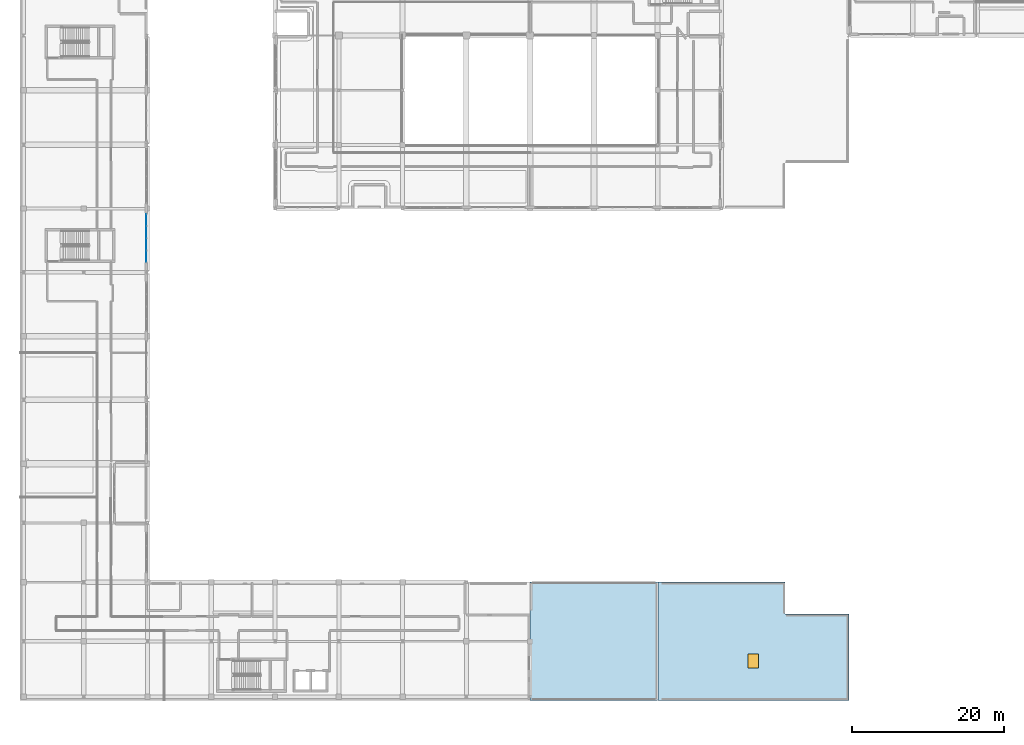
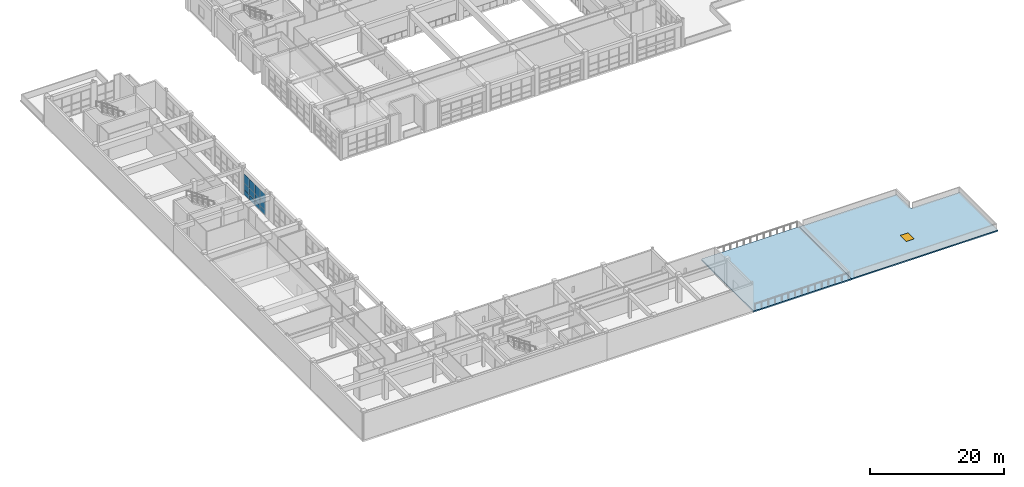
# One storey, part 50 of 78: 12 plates, 2 slabs, 1 window, 1 opening, 1 element without a shape of its own.
"""IFC4 building model written with IfcOpenShell, lengths in metres."""

from ifc_helpers import new_model, si_unit, direction, frame, origin, origin_2d, place, context, subcontext, project, spatial, polyline, rectangle, outline, extrude, material, layer, layer_set, type_object, element, fill, aggregate, save


model = new_model("IFC4")

# Units and contexts
model_context = context("Model", 3, precision=1e-05, world=origin(), true_north=direction((0.0, 1.0)))
body_context = subcontext(model_context, "Body", "Model", "MODEL_VIEW")
ifc_project = project(units=[si_unit("LENGTHUNIT", "METRE"), si_unit("AREAUNIT", "SQUARE_METRE"), si_unit("VOLUMEUNIT", "CUBIC_METRE"), si_unit("PLANEANGLEUNIT", "RADIAN"), si_unit("MASSUNIT", "GRAM", prefix="KILO")], contexts=[model_context])

# Site, building, storey
site_placement = place(None, origin())
site = spatial("IfcSite", under=ifc_project, at=site_placement, CompositionType="ELEMENT")
building_placement = place(site_placement, origin())
building = spatial("IfcBuilding", under=site, at=building_placement, Name="Quendrovan Civic Courthouse", CompositionType="ELEMENT")
storey_placement = place(building_placement, frame((0.0, 0.0, 10.199951171875)))
storey = spatial("IfcBuildingStorey", under=building, at=storey_placement, Name="L03", CompositionType="ELEMENT", Elevation=10.199951171875)

# Curtain wall, plates
ifc_material_1 = material(Name="Bronze anodised aluminium and low-E glass", Category="aluminium")
ifc_layer_1 = layer(ifc_material_1, 0.179931640625, Name="Bronze anodised aluminium and low-E glass")
ifc_layer_set_1 = layer_set([ifc_layer_1], Name="Bronze anodised aluminium and low-E glass")
curtain_wall_type = type_object("IfcCurtainWallType", Name="CW-U64x39", PredefinedType="USERDEFINED", material=ifc_layer_set_1)
curtain_wall_placement = place(storey_placement, origin())
curtain_wall = element("IfcCurtainWall", 1, at=curtain_wall_placement, inside=storey, type_object=curtain_wall_type, Name="L03 Unitised Hurricane Curtain Wall CW-122", ObjectType="UNITISED CURTAIN WALL", PredefinedType="USERDEFINED")
ifc_material_2 = material(Name="Laminated hurricane-impact low-E glass", Category="glass")
ifc_layer_2 = layer(ifc_material_2, 0.035888671875, Name="Laminated hurricane-impact low-E glass")
ifc_layer_set_2 = layer_set([ifc_layer_2], Name="Laminated hurricane-impact low-E glass")
plate_type = type_object("IfcPlateType", Name="CW-PNL-3", PredefinedType="CURTAIN_PANEL", material=ifc_layer_set_2)
plate_1_placement = place(storey_placement, frame((16.635009765625, 63.282470703125, 0.06982421875), z_axis=(0.0, 0.0, 1.0), x_axis=(0.0, -1.0, 0.0)))
plate_1 = element("IfcPlate", 2, at=plate_1_placement, type_object=plate_type, Name="CW-122 panel 1.1", PredefinedType="CURTAIN_PANEL", context=body_context, shape_type="SweptSolid", body=[
    extrude(rectangle(XDim=1.4951171875, YDim=0.035888671875, at=origin_2d()), origin(), (0.0, 0.0, 1.0), 0.844970703125),
])
plate_2_placement = place(storey_placement, frame((16.635009765625, 63.282470703125, 0.985107421875), z_axis=(0.0, 0.0, 1.0), x_axis=(0.0, -1.0, 0.0)))
plate_2 = element("IfcPlate", 3, at=plate_2_placement, type_object=plate_type, Name="CW-122 panel 1.2", PredefinedType="CURTAIN_PANEL", context=body_context, shape_type="SweptSolid", body=[
    extrude(rectangle(XDim=1.4951171875, YDim=0.035888671875, at=origin_2d()), origin(), (0.0, 0.0, 1.0), 1.1298828125),
])
plate_3_placement = place(storey_placement, frame((16.635009765625, 63.282470703125, 2.18505859375), z_axis=(0.0, 0.0, 1.0), x_axis=(0.0, -1.0, 0.0)))
plate_3 = element("IfcPlate", 4, at=plate_3_placement, type_object=plate_type, Name="CW-122 panel 1.3", PredefinedType="CURTAIN_PANEL", context=body_context, shape_type="SweptSolid", body=[
    extrude(rectangle(XDim=1.4951171875, YDim=0.035888671875, at=origin_2d()), origin(), (0.0, 0.0, 1.0), 1.64501953125),
])
plate_4_placement = place(storey_placement, frame((16.635009765625, 61.699951171875, 0.06982421875), z_axis=(0.0, 0.0, 1.0), x_axis=(0.0, -1.0, 0.0)))
plate_4 = element("IfcPlate", 5, at=plate_4_placement, type_object=plate_type, Name="CW-122 panel 2.1", PredefinedType="CURTAIN_PANEL", context=body_context, shape_type="SweptSolid", body=[
    extrude(rectangle(XDim=1.530029296875, YDim=0.035888671875, at=origin_2d()), origin(), (0.0, 0.0, 1.0), 0.844970703125),
])
plate_5_placement = place(storey_placement, frame((16.635009765625, 61.699951171875, 0.985107421875), z_axis=(0.0, 0.0, 1.0), x_axis=(0.0, -1.0, 0.0)))
plate_5 = element("IfcPlate", 6, at=plate_5_placement, type_object=plate_type, Name="CW-122 panel 2.2", PredefinedType="CURTAIN_PANEL", context=body_context, shape_type="SweptSolid", body=[
    extrude(rectangle(XDim=1.530029296875, YDim=0.035888671875, at=origin_2d()), origin(), (0.0, 0.0, 1.0), 1.1298828125),
])
plate_6_placement = place(storey_placement, frame((16.635009765625, 61.699951171875, 2.18505859375), z_axis=(0.0, 0.0, 1.0), x_axis=(0.0, -1.0, 0.0)))
plate_6 = element("IfcPlate", 7, at=plate_6_placement, type_object=plate_type, Name="CW-122 panel 2.3", PredefinedType="CURTAIN_PANEL", context=body_context, shape_type="SweptSolid", body=[
    extrude(rectangle(XDim=1.530029296875, YDim=0.035888671875, at=origin_2d()), origin(), (0.0, 0.0, 1.0), 1.64501953125),
])
plate_7_placement = place(storey_placement, frame((16.635009765625, 60.10009765625, 0.06982421875), z_axis=(0.0, 0.0, 1.0), x_axis=(0.0, -1.0, 0.0)))
plate_7 = element("IfcPlate", 8, at=plate_7_placement, type_object=plate_type, Name="CW-122 panel 3.1", PredefinedType="CURTAIN_PANEL", context=body_context, shape_type="SweptSolid", body=[
    extrude(rectangle(XDim=1.530029296875, YDim=0.035888671875, at=origin_2d()), origin(), (0.0, 0.0, 1.0), 0.844970703125),
])
plate_8_placement = place(storey_placement, frame((16.635009765625, 60.10009765625, 0.985107421875), z_axis=(0.0, 0.0, 1.0), x_axis=(0.0, -1.0, 0.0)))
plate_8 = element("IfcPlate", 9, at=plate_8_placement, type_object=plate_type, Name="CW-122 panel 3.2", PredefinedType="CURTAIN_PANEL", context=body_context, shape_type="SweptSolid", body=[
    extrude(rectangle(XDim=1.530029296875, YDim=0.035888671875, at=origin_2d()), origin(), (0.0, 0.0, 1.0), 1.1298828125),
])
plate_9_placement = place(storey_placement, frame((16.635009765625, 60.10009765625, 2.18505859375), z_axis=(0.0, 0.0, 1.0), x_axis=(0.0, -1.0, 0.0)))
plate_9 = element("IfcPlate", 10, at=plate_9_placement, type_object=plate_type, Name="CW-122 panel 3.3", PredefinedType="CURTAIN_PANEL", context=body_context, shape_type="SweptSolid", body=[
    extrude(rectangle(XDim=1.530029296875, YDim=0.035888671875, at=origin_2d()), origin(), (0.0, 0.0, 1.0), 1.64501953125),
])
plate_10_placement = place(storey_placement, frame((16.635009765625, 58.517578125, 0.06982421875), z_axis=(0.0, 0.0, 1.0), x_axis=(0.0, -1.0, 0.0)))
plate_10 = element("IfcPlate", 11, at=plate_10_placement, type_object=plate_type, Name="CW-122 panel 4.1", PredefinedType="CURTAIN_PANEL", context=body_context, shape_type="SweptSolid", body=[
    extrude(rectangle(XDim=1.4951171875, YDim=0.035888671875, at=origin_2d()), origin(), (0.0, 0.0, 1.0), 0.844970703125),
])
plate_11_placement = place(storey_placement, frame((16.635009765625, 58.517578125, 0.985107421875), z_axis=(0.0, 0.0, 1.0), x_axis=(0.0, -1.0, 0.0)))
plate_11 = element("IfcPlate", 12, at=plate_11_placement, type_object=plate_type, Name="CW-122 panel 4.2", PredefinedType="CURTAIN_PANEL", context=body_context, shape_type="SweptSolid", body=[
    extrude(rectangle(XDim=1.4951171875, YDim=0.035888671875, at=origin_2d()), origin(), (0.0, 0.0, 1.0), 1.1298828125),
])
plate_12_placement = place(storey_placement, frame((16.635009765625, 58.517578125, 2.18505859375), z_axis=(0.0, 0.0, 1.0), x_axis=(0.0, -1.0, 0.0)))
plate_12 = element("IfcPlate", 13, at=plate_12_placement, type_object=plate_type, Name="CW-122 panel 4.3", PredefinedType="CURTAIN_PANEL", context=body_context, shape_type="SweptSolid", body=[
    extrude(rectangle(XDim=1.4951171875, YDim=0.035888671875, at=origin_2d()), origin(), (0.0, 0.0, 1.0), 1.64501953125),
])
aggregate(curtain_wall, [plate_1, plate_2, plate_3, plate_4, plate_5, plate_6, plate_7, plate_8, plate_9, plate_10, plate_11, plate_12])

# Slab, opening, window
ifc_material_3 = material(Name="Concrete C40/50", Category="concrete")
ifc_layer_3 = layer(ifc_material_3, 0.219970703125, Name="Concrete C40/50")
ifc_layer_set_3 = layer_set([ifc_layer_3], Name="Concrete C40/50")
slab_type_1 = type_object("IfcSlabType", Name="SLB-RC-220", PredefinedType="ROOF", material=ifc_layer_set_3)
slab_1_placement = place(storey_placement, frame((0.0, 0.0, -0.219970703125)))
slab_1 = element("IfcSlab", 14, at=slab_1_placement, inside=storey, type_object=slab_type_1, Name="L03 Step-Back Structural Roof Slab SLB-ROOF-L03-06", PredefinedType="ROOF", context=body_context, shape_type="SweptSolid", body=[
    extrude(outline(polyline([(100.800048828125, 15.60009765625), (100.800048828125, 11.39990234375), (109.199951171875, 11.39990234375), (109.199951171875, 0.0), (84.02001953125, 0.0), (84.02001953125, 15.60009765625), (100.800048828125, 15.60009765625)])), origin(), (0.0, 0.0, 1.0), 0.219970703125),
])
opening_placement = place(slab_1_placement, frame((96.60009765625, 5.199951171875, 0.0)))
opening = element("IfcOpeningElement", 15, at=opening_placement, cuts=slab_1, Name="Opening RH3", PredefinedType="OPENING", context=body_context, shape_type="SweptSolid", body=[
    extrude(rectangle(XDim=1.35009765625, YDim=1.800048828125, at=origin_2d()), frame((0.0, 0.0, -0.010009765625)), (0.0, 0.0, 1.0), 0.239990234375),
])
window_type = type_object("IfcWindowType", Name="WIN-HATCH-3", PartitioningType="SINGLE_PANEL", PredefinedType="SKYLIGHT", material=ifc_material_2)
window_placement = place(opening_placement, frame((0.0, 0.0, 0.169921875)))
window = element("IfcWindow", 16, at=window_placement, inside=storey, type_object=window_type, Name="L03 Smoke-Venting Roof Access Skylight Hatch RH-03", OverallHeight=1.800048828125, OverallWidth=1.35009765625, PartitioningType="SINGLE_PANEL", PredefinedType="SKYLIGHT", context=body_context, shape_type="SweptSolid", body=[
    extrude(rectangle(XDim=1.35009765625, YDim=1.800048828125, at=origin_2d()), origin(), (0.0, 0.0, 1.0), 0.050048828125),
])
fill(opening, window)

# Slab
ifc_layer_4 = layer(ifc_material_3, 0.239990234375, Name="Concrete C40/50")
ifc_layer_set_4 = layer_set([ifc_layer_4], Name="Concrete C40/50")
slab_type_2 = type_object("IfcSlabType", Name="SLB-TER-240", PredefinedType="FLOOR", material=ifc_layer_set_4)
slab_2_placement = place(storey_placement, frame((0.0, 0.0, -0.239990234375)))
element("IfcSlab", 17, at=slab_2_placement, inside=storey, type_object=slab_type_2, Name="L03 Exterior Judicial Terrace Slab TER-L03-SOUTH", PredefinedType="FLOOR", context=body_context, shape_type="SweptSolid", body=[
    extrude(outline(polyline([(84.0, 0.0), (84.0, 15.60009765625), (67.199951171875, 15.60009765625), (67.199951171875, 0.0), (84.0, 0.0)])), origin(), (0.0, 0.0, 1.0), 0.239990234375),
])

save(model, "model.ifc")
